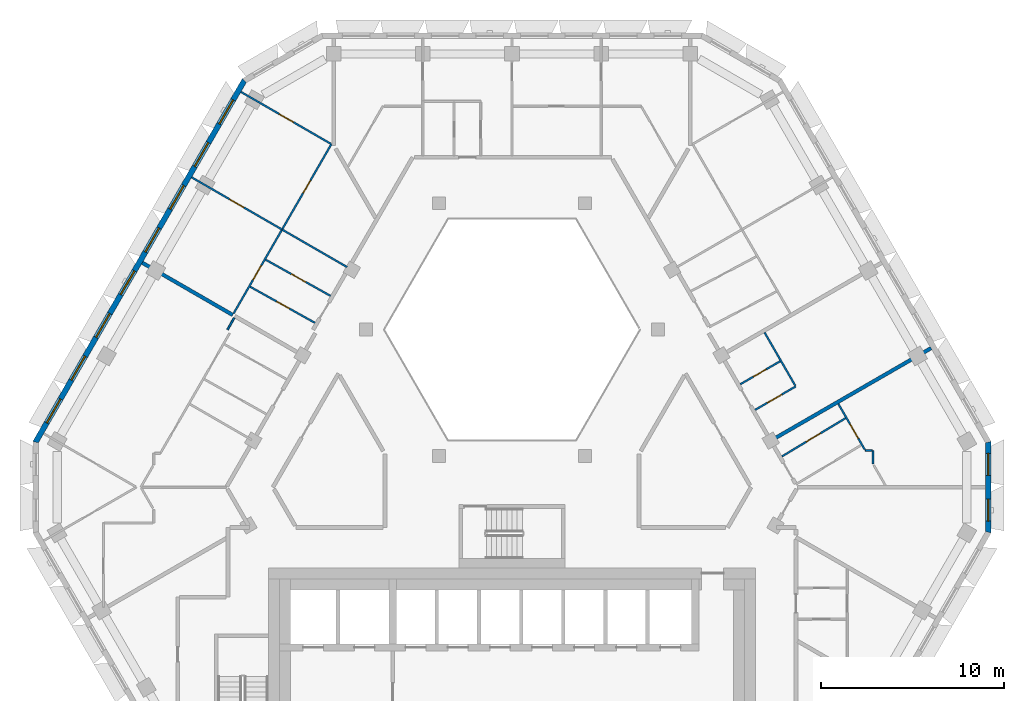
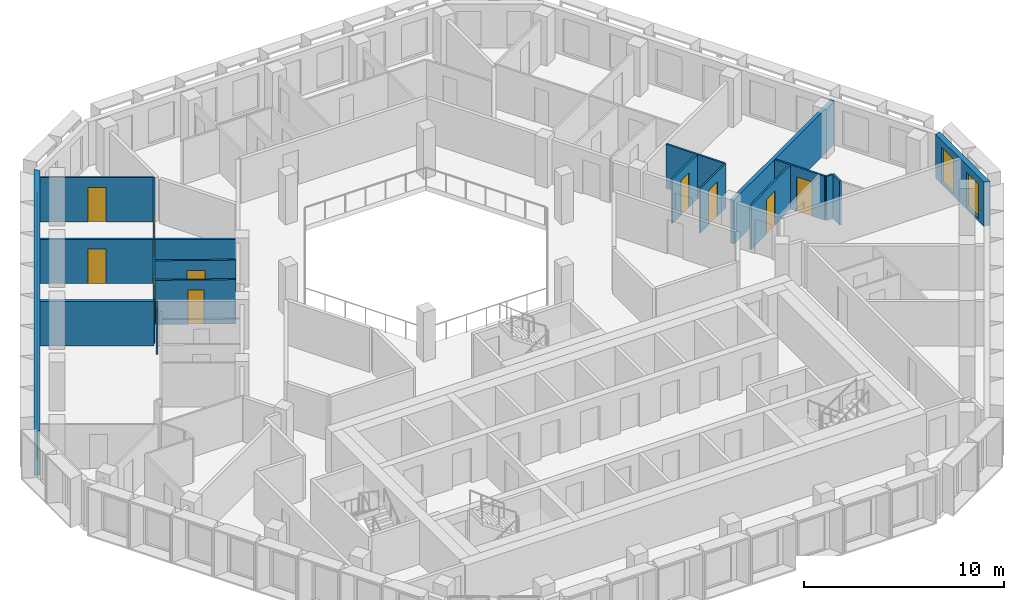
# One storey, part 7 of 18: 18 walls, 10 doors, 10 windows, 20 openings.
"""IFC4 building model written with IfcOpenShell, lengths in metres."""

from ifc_helpers import new_model, si_unit, direction, frame, frame_2d, origin, place, context, subcontext, project, spatial, polyline, rectangle, outline, extrude, material, layer, layer_set, type_object, element, fill, save


model = new_model("IFC4")

# Units and contexts
model_context = context("Model", 3, precision=1e-05, world=origin(), true_north=direction((0.0, 1.0)))
body_context = subcontext(model_context, "Body", "Model", "MODEL_VIEW")
ifc_project = project(units=[si_unit("LENGTHUNIT", "METRE"), si_unit("AREAUNIT", "SQUARE_METRE"), si_unit("VOLUMEUNIT", "CUBIC_METRE"), si_unit("PLANEANGLEUNIT", "RADIAN"), si_unit("MASSUNIT", "GRAM", prefix="KILO")], contexts=[model_context])

# Site, building, storey
site_placement = place(None, origin())
site = spatial("IfcSite", under=ifc_project, at=site_placement, CompositionType="ELEMENT")
building_placement = place(site_placement, origin())
building = spatial("IfcBuilding", under=site, at=building_placement, Name="Beryl Residences", CompositionType="ELEMENT")
storey_placement = place(building_placement, frame((0.0, 0.0, 190.199951171875)))
storey = spatial("IfcBuildingStorey", under=building, at=storey_placement, Name="L58", CompositionType="ELEMENT", Elevation=190.199951171875)

# Wall, openings, windows
ifc_material_1 = material(Name="Composite metal panel with mineral wool insulation")
ifc_layer_1 = layer(ifc_material_1, 0.300048828125)
ifc_layer_set_1 = layer_set([ifc_layer_1], Name="ES1 pale metal composite panel wall 300 mm")
wall_type_1 = type_object("IfcWallType", Name="ES1 pale metal composite panel wall 300 mm", PredefinedType="SOLIDWALL", material=ifc_layer_set_1)
wall_1_placement = place(storey_placement, frame((-14.592041015625, 21.625, 0.0), z_axis=(0.0, 0.0, 1.0), x_axis=(-0.500010537973, -0.866019319597, 0.0)))
wall_1 = element("IfcWall", 1, at=wall_1_placement, inside=storey, type_object=wall_type_1, Name="ES1 external wall L58 NW", PredefinedType="SOLIDWALL", context=body_context, shape_type="SweptSolid", body=[
    extrude(outline(polyline([(0.0, -0.14990234375), (22.86328125, -0.14990234375), (22.782958984375, 0.14990234375), (0.080322265625, 0.14990234375), (0.0, -0.14990234375)])), origin(), (0.0, 0.0, 1.0), 2.699951171875),
])
opening_1_placement = place(wall_1_placement, frame((1.259033203125, 0.0, 0.14990234375)))
opening_1 = element("IfcOpeningElement", 2, at=opening_1_placement, cuts=wall_1, Name="Opening W1", PredefinedType="OPENING", context=body_context, shape_type="SweptSolid", body=[
    extrude(rectangle(XDim=1.5, YDim=2.10009765625, at=frame_2d((0.75, 1.050048828125))), frame((0.0, 0.159912109375, 0.0), z_axis=(0.0, -1.0, 0.0), x_axis=(1.0, 0.0, 0.0)), (0.0, 0.0, 1.0), 0.320068359375),
])
opening_2_placement = place(wall_1_placement, frame((3.951904296875, 0.0, 0.14990234375)))
opening_2 = element("IfcOpeningElement", 3, at=opening_2_placement, cuts=wall_1, Name="Opening W1", PredefinedType="OPENING", context=body_context, shape_type="SweptSolid", body=[
    extrude(rectangle(XDim=1.5, YDim=2.10009765625, at=frame_2d((0.75, 1.050048828125))), frame((0.0, 0.159912109375, 0.0), z_axis=(0.0, -1.0, 0.0), x_axis=(1.0, 0.0, 0.0)), (0.0, 0.0, 1.0), 0.320068359375),
])
opening_3_placement = place(wall_1_placement, frame((6.64404296875, 0.0, 0.14990234375)))
opening_3 = element("IfcOpeningElement", 4, at=opening_3_placement, cuts=wall_1, Name="Opening W1", PredefinedType="OPENING", context=body_context, shape_type="SweptSolid", body=[
    extrude(rectangle(XDim=1.5, YDim=2.10009765625, at=frame_2d((0.75, 1.050048828125))), frame((0.0, 0.159912109375, 0.0), z_axis=(0.0, -1.0, 0.0), x_axis=(1.0, 0.0, 0.0)), (0.0, 0.0, 1.0), 0.320068359375),
])
opening_4_placement = place(wall_1_placement, frame((9.3349609375, 0.0, 0.14990234375)))
opening_4 = element("IfcOpeningElement", 5, at=opening_4_placement, cuts=wall_1, Name="Opening W1", PredefinedType="OPENING", context=body_context, shape_type="SweptSolid", body=[
    extrude(rectangle(XDim=1.5, YDim=2.10009765625, at=frame_2d((0.75, 1.050048828125))), frame((0.0, 0.159912109375, 0.0), z_axis=(0.0, -1.0, 0.0), x_axis=(1.0, 0.0, 0.0)), (0.0, 0.0, 1.0), 0.320068359375),
])
opening_5_placement = place(wall_1_placement, frame((12.028076171875, 0.0, 0.14990234375)))
opening_5 = element("IfcOpeningElement", 6, at=opening_5_placement, cuts=wall_1, Name="Opening W1", PredefinedType="OPENING", context=body_context, shape_type="SweptSolid", body=[
    extrude(rectangle(XDim=1.5, YDim=2.10009765625, at=frame_2d((0.75, 1.050048828125))), frame((0.0, 0.159912109375, 0.0), z_axis=(0.0, -1.0, 0.0), x_axis=(1.0, 0.0, 0.0)), (0.0, 0.0, 1.0), 0.320068359375),
])
opening_6_placement = place(wall_1_placement, frame((14.719970703125, 0.0, 0.14990234375)))
opening_6 = element("IfcOpeningElement", 7, at=opening_6_placement, cuts=wall_1, Name="Opening W1", PredefinedType="OPENING", context=body_context, shape_type="SweptSolid", body=[
    extrude(rectangle(XDim=1.5, YDim=2.10009765625, at=frame_2d((0.75, 1.050048828125))), frame((0.0, 0.159912109375, 0.0), z_axis=(0.0, -1.0, 0.0), x_axis=(1.0, 0.0, 0.0)), (0.0, 0.0, 1.0), 0.320068359375),
])
opening_7_placement = place(wall_1_placement, frame((17.410888671875, 0.0, 0.14990234375)))
opening_7 = element("IfcOpeningElement", 8, at=opening_7_placement, cuts=wall_1, Name="Opening W1", PredefinedType="OPENING", context=body_context, shape_type="SweptSolid", body=[
    extrude(rectangle(XDim=1.5, YDim=2.10009765625, at=frame_2d((0.75, 1.050048828125))), frame((0.0, 0.159912109375, 0.0), z_axis=(0.0, -1.0, 0.0), x_axis=(1.0, 0.0, 0.0)), (0.0, 0.0, 1.0), 0.320068359375),
])
opening_8_placement = place(wall_1_placement, frame((20.10400390625, 0.0, 0.14990234375)))
opening_8 = element("IfcOpeningElement", 9, at=opening_8_placement, cuts=wall_1, Name="Opening W1", PredefinedType="OPENING", context=body_context, shape_type="SweptSolid", body=[
    extrude(rectangle(XDim=1.5, YDim=2.10009765625, at=frame_2d((0.75, 1.050048828125))), frame((0.0, 0.159912109375, 0.0), z_axis=(0.0, -1.0, 0.0), x_axis=(1.0, 0.0, 0.0)), (0.0, 0.0, 1.0), 0.320068359375),
])
ifc_material_2 = material(Name="Aluminium and clear glass", Category="aluminium")
window_type_1 = type_object("IfcWindowType", Name="W1 cell window 1500 x 2100 mm", PartitioningType="SINGLE_PANEL", PredefinedType="WINDOW", material=ifc_material_2)
window_1_placement = place(opening_1_placement, origin())
window_1 = element("IfcWindow", 10, at=window_1_placement, inside=storey, type_object=window_type_1, Name="W1 window L58 NW 1", OverallHeight=2.10009765625, OverallWidth=1.5, PartitioningType="SINGLE_PANEL", PredefinedType="WINDOW", context=body_context, shape_type="SweptSolid", body=[
    extrude(rectangle(XDim=1.5, YDim=2.10009765625, at=frame_2d((0.75, 1.050048828125))), frame((0.0, 0.030029296875, 0.0), z_axis=(0.0, -1.0, 0.0), x_axis=(1.0, 0.0, 0.0)), (0.0, 0.0, 1.0), 0.06005859375),
])
fill(opening_1, window_1)
window_2_placement = place(opening_2_placement, origin())
window_2 = element("IfcWindow", 11, at=window_2_placement, inside=storey, type_object=window_type_1, Name="W1 window L58 NW 2", OverallHeight=2.10009765625, OverallWidth=1.5, PartitioningType="SINGLE_PANEL", PredefinedType="WINDOW", context=body_context, shape_type="SweptSolid", body=[
    extrude(rectangle(XDim=1.5, YDim=2.10009765625, at=frame_2d((0.75, 1.050048828125))), frame((0.0, 0.030029296875, 0.0), z_axis=(0.0, -1.0, 0.0), x_axis=(1.0, 0.0, 0.0)), (0.0, 0.0, 1.0), 0.06005859375),
])
fill(opening_2, window_2)
window_3_placement = place(opening_3_placement, origin())
window_3 = element("IfcWindow", 12, at=window_3_placement, inside=storey, type_object=window_type_1, Name="W1 window L58 NW 3", OverallHeight=2.10009765625, OverallWidth=1.5, PartitioningType="SINGLE_PANEL", PredefinedType="WINDOW", context=body_context, shape_type="SweptSolid", body=[
    extrude(rectangle(XDim=1.5, YDim=2.10009765625, at=frame_2d((0.75, 1.050048828125))), frame((0.0, 0.030029296875, 0.0), z_axis=(0.0, -1.0, 0.0), x_axis=(1.0, 0.0, 0.0)), (0.0, 0.0, 1.0), 0.06005859375),
])
fill(opening_3, window_3)
window_4_placement = place(opening_4_placement, origin())
window_4 = element("IfcWindow", 13, at=window_4_placement, inside=storey, type_object=window_type_1, Name="W1 window L58 NW 4", OverallHeight=2.10009765625, OverallWidth=1.5, PartitioningType="SINGLE_PANEL", PredefinedType="WINDOW", context=body_context, shape_type="SweptSolid", body=[
    extrude(rectangle(XDim=1.5, YDim=2.10009765625, at=frame_2d((0.75, 1.050048828125))), frame((0.0, 0.030029296875, 0.0), z_axis=(0.0, -1.0, 0.0), x_axis=(1.0, 0.0, 0.0)), (0.0, 0.0, 1.0), 0.06005859375),
])
fill(opening_4, window_4)
window_5_placement = place(opening_5_placement, origin())
window_5 = element("IfcWindow", 14, at=window_5_placement, inside=storey, type_object=window_type_1, Name="W1 window L58 NW 5", OverallHeight=2.10009765625, OverallWidth=1.5, PartitioningType="SINGLE_PANEL", PredefinedType="WINDOW", context=body_context, shape_type="SweptSolid", body=[
    extrude(rectangle(XDim=1.5, YDim=2.10009765625, at=frame_2d((0.75, 1.050048828125))), frame((0.0, 0.030029296875, 0.0), z_axis=(0.0, -1.0, 0.0), x_axis=(1.0, 0.0, 0.0)), (0.0, 0.0, 1.0), 0.06005859375),
])
fill(opening_5, window_5)
window_6_placement = place(opening_6_placement, origin())
window_6 = element("IfcWindow", 15, at=window_6_placement, inside=storey, type_object=window_type_1, Name="W1 window L58 NW 6", OverallHeight=2.10009765625, OverallWidth=1.5, PartitioningType="SINGLE_PANEL", PredefinedType="WINDOW", context=body_context, shape_type="SweptSolid", body=[
    extrude(rectangle(XDim=1.5, YDim=2.10009765625, at=frame_2d((0.75, 1.050048828125))), frame((0.0, 0.030029296875, 0.0), z_axis=(0.0, -1.0, 0.0), x_axis=(1.0, 0.0, 0.0)), (0.0, 0.0, 1.0), 0.06005859375),
])
fill(opening_6, window_6)
window_7_placement = place(opening_7_placement, origin())
window_7 = element("IfcWindow", 16, at=window_7_placement, inside=storey, type_object=window_type_1, Name="W1 window L58 NW 7", OverallHeight=2.10009765625, OverallWidth=1.5, PartitioningType="SINGLE_PANEL", PredefinedType="WINDOW", context=body_context, shape_type="SweptSolid", body=[
    extrude(rectangle(XDim=1.5, YDim=2.10009765625, at=frame_2d((0.75, 1.050048828125))), frame((0.0, 0.030029296875, 0.0), z_axis=(0.0, -1.0, 0.0), x_axis=(1.0, 0.0, 0.0)), (0.0, 0.0, 1.0), 0.06005859375),
])
fill(opening_7, window_7)
window_8_placement = place(opening_8_placement, origin())
window_8 = element("IfcWindow", 17, at=window_8_placement, inside=storey, type_object=window_type_1, Name="W1 window L58 NW 8", OverallHeight=2.10009765625, OverallWidth=1.5, PartitioningType="SINGLE_PANEL", PredefinedType="WINDOW", context=body_context, shape_type="SweptSolid", body=[
    extrude(rectangle(XDim=1.5, YDim=2.10009765625, at=frame_2d((0.75, 1.050048828125))), frame((0.0, 0.030029296875, 0.0), z_axis=(0.0, -1.0, 0.0), x_axis=(1.0, 0.0, 0.0)), (0.0, 0.0, 1.0), 0.06005859375),
])
fill(opening_8, window_8)

wall_2_placement = place(storey_placement, frame((26.00390625, -3.10009765625, 0.0), z_axis=(0.0, 0.0, 1.0), x_axis=(0.0, 1.0, 0.0)))
wall_2 = element("IfcWall", 18, at=wall_2_placement, inside=storey, type_object=wall_type_1, Name="ES1 external wall L58 SE-NE", PredefinedType="SOLIDWALL", context=body_context, shape_type="SweptSolid", body=[
    extrude(outline(polyline([(0.0, -0.14990234375), (5.0, -0.14990234375), (4.919677734375, 0.14990234375), (0.080322265625, 0.14990234375), (0.0, -0.14990234375)])), origin(), (0.0, 0.0, 1.0), 2.699951171875),
])
opening_9_placement = place(wall_2_placement, frame((0.64990234375, 0.0, 0.14990234375)))
opening_9 = element("IfcOpeningElement", 19, at=opening_9_placement, cuts=wall_2, Name="Opening W2", PredefinedType="OPENING", context=body_context, shape_type="SweptSolid", body=[
    extrude(rectangle(XDim=1.199951171875, YDim=2.10009765625, at=frame_2d((0.60009765625, 1.050048828125))), frame((0.0, 0.159912109375, 0.0), z_axis=(0.0, -1.0, 0.0), x_axis=(1.0, 0.0, 0.0)), (0.0, 0.0, 1.0), 0.320068359375),
])
opening_10_placement = place(wall_2_placement, frame((3.14990234375, 0.0, 0.14990234375)))
opening_10 = element("IfcOpeningElement", 20, at=opening_10_placement, cuts=wall_2, Name="Opening W2", PredefinedType="OPENING", context=body_context, shape_type="SweptSolid", body=[
    extrude(rectangle(XDim=1.199951171875, YDim=2.10009765625, at=frame_2d((0.60009765625, 1.050048828125))), frame((0.0, 0.159912109375, 0.0), z_axis=(0.0, -1.0, 0.0), x_axis=(1.0, 0.0, 0.0)), (0.0, 0.0, 1.0), 0.320068359375),
])
ifc_material_3 = material(Name="Aluminium and clear glass", Category="aluminium")
window_type_2 = type_object("IfcWindowType", Name="W2 chamfer window 1200 x 2100 mm", PartitioningType="SINGLE_PANEL", PredefinedType="WINDOW", material=ifc_material_3)
window_9_placement = place(opening_9_placement, origin())
window_9 = element("IfcWindow", 21, at=window_9_placement, inside=storey, type_object=window_type_2, Name="W2 window L58 SE-NE 1", OverallHeight=2.10009765625, OverallWidth=1.199951171875, PartitioningType="SINGLE_PANEL", PredefinedType="WINDOW", context=body_context, shape_type="SweptSolid", body=[
    extrude(rectangle(XDim=1.199951171875, YDim=2.10009765625, at=frame_2d((0.60009765625, 1.050048828125))), frame((0.0, 0.030029296875, 0.0), z_axis=(0.0, -1.0, 0.0), x_axis=(1.0, 0.0, 0.0)), (0.0, 0.0, 1.0), 0.06005859375),
])
fill(opening_9, window_9)
window_10_placement = place(opening_10_placement, origin())
window_10 = element("IfcWindow", 22, at=window_10_placement, inside=storey, type_object=window_type_2, Name="W2 window L58 SE-NE 2", OverallHeight=2.10009765625, OverallWidth=1.199951171875, PartitioningType="SINGLE_PANEL", PredefinedType="WINDOW", context=body_context, shape_type="SweptSolid", body=[
    extrude(rectangle(XDim=1.199951171875, YDim=2.10009765625, at=frame_2d((0.60009765625, 1.050048828125))), frame((0.0, 0.030029296875, 0.0), z_axis=(0.0, -1.0, 0.0), x_axis=(1.0, 0.0, 0.0)), (0.0, 0.0, 1.0), 0.06005859375),
])
fill(opening_10, window_10)

# Wall
ifc_material_4 = material(Name="Gypsum board partition on steel studs", Category="steel")
ifc_layer_2 = layer(ifc_material_4, 0.10009765625)
ifc_layer_set_2 = layer_set([ifc_layer_2], Name="PT1 partition 100 mm gypsum board on steel studs")
wall_type_2 = type_object("IfcWallType", Name="PT1 partition 100 mm gypsum board on steel studs", PredefinedType="PARTITIONING", material=ifc_layer_set_2)
wall_3_placement = place(storey_placement, frame((13.784912109375, 7.843994140625, 0.0), z_axis=(0.0, 0.0, 1.0), x_axis=(0.500176784828, -0.865923312955, 0.0)))
element("IfcWall", 23, at=wall_3_placement, inside=storey, type_object=wall_type_2, Name="Wall PT1 L58 002", PredefinedType="PARTITIONING", context=body_context, shape_type="SweptSolid", body=[
    extrude(rectangle(XDim=3.348876953125, YDim=0.10009765625, at=frame_2d((1.67431640625, 0.0))), origin(), (0.0, 0.0, 1.0), 2.699951171875),
])

# Wall, opening, door
wall_4_placement = place(storey_placement, frame((17.81103515625, 3.950927734375, 0.0), z_axis=(0.0, 0.0, 1.0), x_axis=(0.499976149225, -0.866039173598, 0.0)))
wall_4 = element("IfcWall", 24, at=wall_4_placement, inside=storey, type_object=wall_type_2, Name="Wall PT1 L58 004", PredefinedType="PARTITIONING", context=body_context, shape_type="SweptSolid", body=[
    extrude(rectangle(XDim=2.887939453125, YDim=0.10009765625, at=frame_2d((1.44384765625, 0.0))), origin(), (0.0, 0.0, 1.0), 2.699951171875),
])
opening_11_placement = place(wall_4_placement, frame((1.27587890625, 0.0, 0.0)))
opening_11 = element("IfcOpeningElement", 25, at=opening_11_placement, cuts=wall_4, Name="Opening D1542", PredefinedType="OPENING", context=body_context, shape_type="SweptSolid", body=[
    extrude(rectangle(XDim=0.89990234375, YDim=2.10009765625, at=frame_2d((0.449951171875, 1.050048828125))), frame((0.0, 0.06005859375, 0.0), z_axis=(0.0, -1.0, 0.0), x_axis=(1.0, 0.0, 0.0)), (0.0, 0.0, 1.0), 0.1201171875),
])
ifc_material_5 = material(Name="Timber door leaf", Category="wood")
door_type_1 = type_object("IfcDoorType", Name="D2 room door 900 x 2100 mm", OperationType="SINGLE_SWING_LEFT", PredefinedType="DOOR", material=ifc_material_5)
door_1_placement = place(opening_11_placement, origin())
door_1 = element("IfcDoor", 26, at=door_1_placement, inside=storey, type_object=door_type_1, Name="Door D1542 L58 001", OperationType="SINGLE_SWING_RIGHT", OverallHeight=2.10009765625, OverallWidth=0.89990234375, PredefinedType="DOOR", context=body_context, shape_type="SweptSolid", body=[
    extrude(rectangle(XDim=0.89990234375, YDim=2.10009765625, at=frame_2d((0.449951171875, 1.050048828125))), frame((0.0, 0.02490234375, 0.0), z_axis=(0.0, -1.0, 0.0), x_axis=(1.0, 0.0, 0.0)), (0.0, 0.0, 1.0), 0.050048828125),
])
fill(opening_11, door_1)

wall_5_placement = place(storey_placement, frame((-13.444091796875, 11.81396484375, 0.0), z_axis=(0.0, 0.0, 1.0), x_axis=(0.873653620945, -0.486548405207, 0.0)))
wall_5 = element("IfcWall", 27, at=wall_5_placement, inside=storey, type_object=wall_type_2, Name="Wall PT1 L58 009", PredefinedType="PARTITIONING", context=body_context, shape_type="SweptSolid", body=[
    extrude(rectangle(XDim=4.05078125, YDim=0.10009765625, at=frame_2d((2.025390625, 0.0))), origin(), (0.0, 0.0, 1.0), 2.699951171875),
])
opening_12_placement = place(wall_5_placement, frame((1.60009765625, 0.0, 0.0)))
opening_12 = element("IfcOpeningElement", 28, at=opening_12_placement, cuts=wall_5, Name="Opening D1519", PredefinedType="OPENING", context=body_context, shape_type="SweptSolid", body=[
    extrude(rectangle(XDim=0.89990234375, YDim=2.10009765625, at=frame_2d((0.449951171875, 1.050048828125))), frame((0.0, 0.06005859375, 0.0), z_axis=(0.0, -1.0, 0.0), x_axis=(1.0, 0.0, 0.0)), (0.0, 0.0, 1.0), 0.1201171875),
])
door_2_placement = place(opening_12_placement, origin())
door_2 = element("IfcDoor", 29, at=door_2_placement, inside=storey, type_object=door_type_1, Name="Door D1519 L58 001", OperationType="SINGLE_SWING_LEFT", OverallHeight=2.10009765625, OverallWidth=0.89990234375, PredefinedType="DOOR", context=body_context, shape_type="SweptSolid", body=[
    extrude(rectangle(XDim=0.89990234375, YDim=2.10009765625, at=frame_2d((0.449951171875, 1.050048828125))), frame((0.0, 0.02490234375, 0.0), z_axis=(0.0, -1.0, 0.0), x_axis=(1.0, 0.0, 0.0)), (0.0, 0.0, 1.0), 0.050048828125),
])
fill(opening_12, door_2)

wall_6_placement = place(storey_placement, frame((-14.2939453125, 10.342041015625, 0.0), z_axis=(0.0, 0.0, 1.0), x_axis=(0.873582256032, -0.486676527013, 0.0)))
wall_6 = element("IfcWall", 30, at=wall_6_placement, inside=storey, type_object=wall_type_2, Name="Wall PT1 L58 010", PredefinedType="PARTITIONING", context=body_context, shape_type="SweptSolid", body=[
    extrude(rectangle(XDim=4.0498046875, YDim=0.10009765625, at=frame_2d((2.02490234375, 0.0))), origin(), (0.0, 0.0, 1.0), 2.699951171875),
])
opening_13_placement = place(wall_6_placement, frame((1.64990234375, 0.0, 0.0)))
opening_13 = element("IfcOpeningElement", 31, at=opening_13_placement, cuts=wall_6, Name="Opening D1518", PredefinedType="OPENING", context=body_context, shape_type="SweptSolid", body=[
    extrude(rectangle(XDim=0.800048828125, YDim=2.10009765625, at=frame_2d((0.39990234375, 1.050048828125))), frame((0.0, 0.06005859375, 0.0), z_axis=(0.0, -1.0, 0.0), x_axis=(1.0, 0.0, 0.0)), (0.0, 0.0, 1.0), 0.1201171875),
])
ifc_material_6 = material(Name="Timber door leaf", Category="wood")
door_type_2 = type_object("IfcDoorType", Name="D3 bathroom door 800 x 2100 mm", OperationType="SINGLE_SWING_LEFT", PredefinedType="DOOR", material=ifc_material_6)
door_3_placement = place(opening_13_placement, origin())
door_3 = element("IfcDoor", 32, at=door_3_placement, inside=storey, type_object=door_type_2, Name="Door D1518 L58 001", OperationType="SINGLE_SWING_RIGHT", OverallHeight=2.10009765625, OverallWidth=0.800048828125, PredefinedType="DOOR", context=body_context, shape_type="SweptSolid", body=[
    extrude(rectangle(XDim=0.800048828125, YDim=2.10009765625, at=frame_2d((0.39990234375, 1.050048828125))), frame((0.0, 0.02490234375, 0.0), z_axis=(0.0, -1.0, 0.0), x_axis=(1.0, 0.0, 0.0)), (0.0, 0.0, 1.0), 0.050048828125),
])
fill(opening_13, door_3)

wall_7_placement = place(storey_placement, frame((-17.486083984375, 16.31298828125, 0.0), z_axis=(0.0, 0.0, 1.0), x_axis=(0.866004402611, -0.500036373335, 0.0)))
wall_7 = element("IfcWall", 33, at=wall_7_placement, inside=storey, type_object=wall_type_2, Name="Wall PT1 L58 015", PredefinedType="PARTITIONING", context=body_context, shape_type="SweptSolid", body=[
    extrude(rectangle(XDim=5.69970703125, YDim=0.10009765625, at=frame_2d((2.849853515625, 0.0))), origin(), (0.0, 0.0, 1.0), 2.699951171875),
])
opening_14_placement = place(wall_7_placement, frame((2.39990234375, 0.0, 0.0)))
opening_14 = element("IfcOpeningElement", 34, at=opening_14_placement, cuts=wall_7, Name="Opening D1521", PredefinedType="OPENING", context=body_context, shape_type="SweptSolid", body=[
    extrude(rectangle(XDim=0.89990234375, YDim=2.10009765625, at=frame_2d((0.449951171875, 1.050048828125))), frame((0.0, 0.06005859375, 0.0), z_axis=(0.0, -1.0, 0.0), x_axis=(1.0, 0.0, 0.0)), (0.0, 0.0, 1.0), 0.1201171875),
])
door_4_placement = place(opening_14_placement, origin())
door_4 = element("IfcDoor", 35, at=door_4_placement, inside=storey, type_object=door_type_1, Name="Door D1521 L58 001", OperationType="SINGLE_SWING_LEFT", OverallHeight=2.10009765625, OverallWidth=0.89990234375, PredefinedType="DOOR", context=body_context, shape_type="SweptSolid", body=[
    extrude(rectangle(XDim=0.89990234375, YDim=2.10009765625, at=frame_2d((0.449951171875, 1.050048828125))), frame((0.0, 0.02490234375, 0.0), z_axis=(0.0, -1.0, 0.0), x_axis=(1.0, 0.0, 0.0)), (0.0, 0.0, 1.0), 0.050048828125),
])
fill(opening_14, door_4)

wall_8_placement = place(storey_placement, frame((-14.7939453125, 20.97509765625, 0.0), z_axis=(0.0, 0.0, 1.0), x_axis=(0.865989811779, -0.500061642096, 0.0)))
wall_8 = element("IfcWall", 36, at=wall_8_placement, inside=storey, type_object=wall_type_2, Name="Wall PT1 L58 016", PredefinedType="PARTITIONING", context=body_context, shape_type="SweptSolid", body=[
    extrude(rectangle(XDim=5.669677734375, YDim=0.10009765625, at=frame_2d((2.8349609375, 0.0))), origin(), (0.0, 0.0, 1.0), 2.699951171875),
])
opening_15_placement = place(wall_8_placement, frame((2.409912109375, 0.0, 0.0)))
opening_15 = element("IfcOpeningElement", 37, at=opening_15_placement, cuts=wall_8, Name="Opening D1522", PredefinedType="OPENING", context=body_context, shape_type="SweptSolid", body=[
    extrude(rectangle(XDim=0.89990234375, YDim=2.10009765625, at=frame_2d((0.449951171875, 1.050048828125))), frame((0.0, 0.06005859375, 0.0), z_axis=(0.0, -1.0, 0.0), x_axis=(1.0, 0.0, 0.0)), (0.0, 0.0, 1.0), 0.1201171875),
])
door_5_placement = place(opening_15_placement, origin())
door_5 = element("IfcDoor", 38, at=door_5_placement, inside=storey, type_object=door_type_1, Name="Door D1522 L58 001", OperationType="SINGLE_SWING_RIGHT", OverallHeight=2.10009765625, OverallWidth=0.89990234375, PredefinedType="DOOR", context=body_context, shape_type="SweptSolid", body=[
    extrude(rectangle(XDim=0.89990234375, YDim=2.10009765625, at=frame_2d((0.449951171875, 1.050048828125))), frame((0.0, 0.02490234375, 0.0), z_axis=(0.0, -1.0, 0.0), x_axis=(1.0, 0.0, 0.0)), (0.0, 0.0, 1.0), 0.050048828125),
])
fill(opening_15, door_5)

# Walls
wall_9_placement = place(storey_placement, frame((19.283935546875, 1.39990234375, 0.0), z_axis=(0.0, 0.0, 1.0), x_axis=(1.0, 0.0, 0.0)))
element("IfcWall", 39, at=wall_9_placement, inside=storey, type_object=wall_type_2, Name="Wall PT1 L58 022", PredefinedType="PARTITIONING", context=body_context, shape_type="SweptSolid", body=[
    extrude(rectangle(XDim=0.365966796875, YDim=0.10009765625, at=frame_2d((0.18310546875, 0.0))), origin(), (0.0, 0.0, 1.0), 2.699951171875),
])
wall_10_placement = place(storey_placement, frame((-15.528076171875, 8.0, 0.0), z_axis=(0.0, 0.0, 1.0), x_axis=(0.500421336976, 0.865782008071, 0.0)))
element("IfcWall", 40, at=wall_10_placement, inside=storey, type_object=wall_type_2, Name="Wall PT1 L58 029", PredefinedType="PARTITIONING", context=body_context, shape_type="SweptSolid", body=[
    extrude(rectangle(XDim=0.735595703125, YDim=0.10009765625, at=frame_2d((0.36767578125, 0.0))), origin(), (0.0, 0.0, 1.0), 2.699951171875),
])

# Wall, openings, doors
wall_11_placement = place(storey_placement, frame((-15.19189453125, 8.886962890625, 0.0), z_axis=(0.0, 0.0, 1.0), x_axis=(0.500028204665, 0.866009119201, 0.0)))
wall_11 = element("IfcWall", 41, at=wall_11_placement, inside=storey, type_object=wall_type_2, Name="Wall PT1 L58 030", PredefinedType="PARTITIONING", context=body_context, shape_type="SweptSolid", body=[
    extrude(rectangle(XDim=10.66748046875, YDim=0.10009765625, at=frame_2d((5.333740234375, 0.0))), origin(), (0.0, 0.0, 1.0), 2.699951171875),
])
opening_16_placement = place(wall_11_placement, frame((2.10791015625, 0.0, 0.0)))
opening_16 = element("IfcOpeningElement", 42, at=opening_16_placement, cuts=wall_11, Name="Opening D1520", PredefinedType="OPENING", context=body_context, shape_type="SweptSolid", body=[
    extrude(rectangle(XDim=0.89990234375, YDim=2.10009765625, at=frame_2d((0.449951171875, 1.050048828125))), frame((0.0, 0.06005859375, 0.0), z_axis=(0.0, -1.0, 0.0), x_axis=(1.0, 0.0, 0.0)), (0.0, 0.0, 1.0), 0.1201171875),
])
opening_17_placement = place(wall_11_placement, frame((7.575927734375, 0.0, 0.0)))
opening_17 = element("IfcOpeningElement", 43, at=opening_17_placement, cuts=wall_11, Name="Opening D1523", PredefinedType="OPENING", context=body_context, shape_type="SweptSolid", body=[
    extrude(rectangle(XDim=0.800048828125, YDim=2.10009765625, at=frame_2d((0.39990234375, 1.050048828125))), frame((0.0, 0.06005859375, 0.0), z_axis=(0.0, -1.0, 0.0), x_axis=(1.0, 0.0, 0.0)), (0.0, 0.0, 1.0), 0.1201171875),
])
door_6_placement = place(opening_16_placement, origin())
door_6 = element("IfcDoor", 44, at=door_6_placement, inside=storey, type_object=door_type_1, Name="Door D1520 L58 001", OperationType="SINGLE_SWING_RIGHT", OverallHeight=2.10009765625, OverallWidth=0.89990234375, PredefinedType="DOOR", context=body_context, shape_type="SweptSolid", body=[
    extrude(rectangle(XDim=0.89990234375, YDim=2.10009765625, at=frame_2d((0.449951171875, 1.050048828125))), frame((0.0, 0.02490234375, 0.0), z_axis=(0.0, -1.0, 0.0), x_axis=(1.0, 0.0, 0.0)), (0.0, 0.0, 1.0), 0.050048828125),
])
fill(opening_16, door_6)
door_7_placement = place(opening_17_placement, origin())
door_7 = element("IfcDoor", 45, at=door_7_placement, inside=storey, type_object=door_type_2, Name="Door D1523 L58 001", OperationType="SINGLE_SWING_LEFT", OverallHeight=2.10009765625, OverallWidth=0.800048828125, PredefinedType="DOOR", context=body_context, shape_type="SweptSolid", body=[
    extrude(rectangle(XDim=0.800048828125, YDim=2.10009765625, at=frame_2d((0.39990234375, 1.050048828125))), frame((0.0, 0.02490234375, 0.0), z_axis=(0.0, -1.0, 0.0), x_axis=(1.0, 0.0, 0.0)), (0.0, 0.0, 1.0), 0.050048828125),
])
fill(opening_17, door_7)

# Wall
wall_12_placement = place(storey_placement, frame((19.699951171875, 0.678955078125, 0.0), z_axis=(0.0, 0.0, 1.0), x_axis=(0.0, 1.0, 0.0)))
element("IfcWall", 46, at=wall_12_placement, inside=storey, type_object=wall_type_2, Name="Wall PT1 L58 033", PredefinedType="PARTITIONING", context=body_context, shape_type="SweptSolid", body=[
    extrude(rectangle(XDim=0.720947265625, YDim=0.10009765625, at=frame_2d((0.3603515625, 0.0))), origin(), (0.0, 0.0, 1.0), 2.699951171875),
])

# Wall, opening, door
wall_13_placement = place(storey_placement, frame((13.26806640625, 3.618896484375, 0.0), z_axis=(0.0, 0.0, 1.0), x_axis=(0.865902724456, 0.500212426655, 0.0)))
wall_13 = element("IfcWall", 47, at=wall_13_placement, inside=storey, type_object=wall_type_2, Name="Wall PT1 L58 042", PredefinedType="PARTITIONING", context=body_context, shape_type="SweptSolid", body=[
    extrude(rectangle(XDim=2.55908203125, YDim=0.10009765625, at=frame_2d((1.279541015625, 0.0))), origin(), (0.0, 0.0, 1.0), 2.699951171875),
])
opening_18_placement = place(wall_13_placement, frame((0.780029296875, 0.0, 0.0)))
opening_18 = element("IfcOpeningElement", 48, at=opening_18_placement, cuts=wall_13, Name="Opening D1544", PredefinedType="OPENING", context=body_context, shape_type="SweptSolid", body=[
    extrude(rectangle(XDim=0.89990234375, YDim=2.10009765625, at=frame_2d((0.449951171875, 1.050048828125))), frame((0.0, 0.06005859375, 0.0), z_axis=(0.0, -1.0, 0.0), x_axis=(1.0, 0.0, 0.0)), (0.0, 0.0, 1.0), 0.1201171875),
])
door_8_placement = place(opening_18_placement, origin())
door_8 = element("IfcDoor", 49, at=door_8_placement, inside=storey, type_object=door_type_1, Name="Door D1544 L58 001", OperationType="SINGLE_SWING_RIGHT", OverallHeight=2.10009765625, OverallWidth=0.89990234375, PredefinedType="DOOR", context=body_context, shape_type="SweptSolid", body=[
    extrude(rectangle(XDim=0.89990234375, YDim=2.10009765625, at=frame_2d((0.449951171875, 1.050048828125))), frame((0.0, 0.02490234375, 0.0), z_axis=(0.0, -1.0, 0.0), x_axis=(1.0, 0.0, 0.0)), (0.0, 0.0, 1.0), 0.050048828125),
])
fill(opening_18, door_8)

wall_14_placement = place(storey_placement, frame((12.4599609375, 5.01806640625, 0.0), z_axis=(0.0, 0.0, 1.0), x_axis=(0.866080321209, 0.499904868165, 0.0)))
wall_14 = element("IfcWall", 50, at=wall_14_placement, inside=storey, type_object=wall_type_2, Name="Wall PT1 L58 043", PredefinedType="PARTITIONING", context=body_context, shape_type="SweptSolid", body=[
    extrude(rectangle(XDim=2.51025390625, YDim=0.10009765625, at=frame_2d((1.255126953125, 0.0))), origin(), (0.0, 0.0, 1.0), 2.699951171875),
])
opening_19_placement = place(wall_14_placement, frame((0.830078125, 0.0, 0.0)))
opening_19 = element("IfcOpeningElement", 51, at=opening_19_placement, cuts=wall_14, Name="Opening D1545", PredefinedType="OPENING", context=body_context, shape_type="SweptSolid", body=[
    extrude(rectangle(XDim=0.800048828125, YDim=2.10009765625, at=frame_2d((0.39990234375, 1.050048828125))), frame((0.0, 0.06005859375, 0.0), z_axis=(0.0, -1.0, 0.0), x_axis=(1.0, 0.0, 0.0)), (0.0, 0.0, 1.0), 0.1201171875),
])
door_9_placement = place(opening_19_placement, origin())
door_9 = element("IfcDoor", 52, at=door_9_placement, inside=storey, type_object=door_type_2, Name="Door D1545 L58 001", OperationType="SINGLE_SWING_LEFT", OverallHeight=2.10009765625, OverallWidth=0.800048828125, PredefinedType="DOOR", context=body_context, shape_type="SweptSolid", body=[
    extrude(rectangle(XDim=0.800048828125, YDim=2.10009765625, at=frame_2d((0.39990234375, 1.050048828125))), frame((0.0, 0.02490234375, 0.0), z_axis=(0.0, -1.0, 0.0), x_axis=(1.0, 0.0, 0.0)), (0.0, 0.0, 1.0), 0.050048828125),
])
fill(opening_19, door_9)

wall_15_placement = place(storey_placement, frame((14.73388671875, 1.080078125, 0.0), z_axis=(0.0, 0.0, 1.0), x_axis=(0.857205608004, 0.514974315482, 0.0)))
wall_15 = element("IfcWall", 53, at=wall_15_placement, inside=storey, type_object=wall_type_2, Name="Wall PT1 L58 047", PredefinedType="PARTITIONING", context=body_context, shape_type="SweptSolid", body=[
    extrude(rectangle(XDim=4.050537109375, YDim=0.10009765625, at=frame_2d((2.025390625, 0.0))), origin(), (0.0, 0.0, 1.0), 2.699951171875),
])
opening_20_placement = place(wall_15_placement, frame((1.550048828125, 0.0, 0.0)))
opening_20 = element("IfcOpeningElement", 54, at=opening_20_placement, cuts=wall_15, Name="Opening D1540", PredefinedType="OPENING", context=body_context, shape_type="SweptSolid", body=[
    extrude(rectangle(XDim=0.89990234375, YDim=2.10009765625, at=frame_2d((0.449951171875, 1.050048828125))), frame((0.0, 0.06005859375, 0.0), z_axis=(0.0, -1.0, 0.0), x_axis=(1.0, 0.0, 0.0)), (0.0, 0.0, 1.0), 0.1201171875),
])
door_10_placement = place(opening_20_placement, origin())
door_10 = element("IfcDoor", 55, at=door_10_placement, inside=storey, type_object=door_type_1, Name="Door D1540 L58 001", OperationType="SINGLE_SWING_RIGHT", OverallHeight=2.10009765625, OverallWidth=0.89990234375, PredefinedType="DOOR", context=body_context, shape_type="SweptSolid", body=[
    extrude(rectangle(XDim=0.89990234375, YDim=2.10009765625, at=frame_2d((0.449951171875, 1.050048828125))), frame((0.0, 0.02490234375, 0.0), z_axis=(0.0, -1.0, 0.0), x_axis=(1.0, 0.0, 0.0)), (0.0, 0.0, 1.0), 0.050048828125),
])
fill(opening_20, door_10)

# Walls
wall_16_placement = place(storey_placement, frame((-12.550048828125, 13.462890625, 0.0), z_axis=(0.0, 0.0, 1.0), x_axis=(0.86606561423, -0.499930346997, 0.0)))
element("IfcWall", 56, at=wall_16_placement, inside=storey, type_object=wall_type_2, Name="Wall PT1 L58 050", PredefinedType="PARTITIONING", context=body_context, shape_type="SweptSolid", body=[
    extrude(rectangle(XDim=4.10009765625, YDim=0.10009765625, at=frame_2d((2.050048828125, 0.0))), origin(), (0.0, 0.0, 1.0), 2.699951171875),
])
ifc_material_7 = material(Name="Acoustic double stud gypsum board wall")
ifc_layer_3 = layer(ifc_material_7, 0.199951171875)
ifc_layer_set_3 = layer_set([ifc_layer_3], Name="PT3 party wall 200 mm acoustic double stud")
wall_type_3 = type_object("IfcWallType", Name="PT3 party wall 200 mm acoustic double stud", PredefinedType="PARTITIONING", material=ifc_layer_set_3)
wall_17_placement = place(storey_placement, frame((-20.177978515625, 11.64990234375, 0.0), z_axis=(0.0, 0.0, 1.0), x_axis=(0.866022950691, -0.500004248858, 0.0)))
element("IfcWall", 57, at=wall_17_placement, inside=storey, type_object=wall_type_3, Name="Wall PT3 L58 003", PredefinedType="PARTITIONING", context=body_context, shape_type="SweptSolid", body=[
    extrude(rectangle(XDim=5.69970703125, YDim=0.199951171875, at=frame_2d((2.849853515625, 0.0))), origin(), (0.0, 0.0, 1.0), 2.699951171875),
])
wall_18_placement = place(storey_placement, frame((14.2099609375, 1.987060546875, 0.0), z_axis=(0.0, 0.0, 1.0), x_axis=(0.866022959057, 0.500004234368, 0.0)))
element("IfcWall", 58, at=wall_18_placement, inside=storey, type_object=wall_type_3, Name="Wall PT3 L58 011", PredefinedType="PARTITIONING", context=body_context, shape_type="SweptSolid", body=[
    extrude(rectangle(XDim=10.0, YDim=0.199951171875, at=frame_2d((5.0, 0.0))), origin(), (0.0, 0.0, 1.0), 2.699951171875),
])

save(model, "model.ifc")
